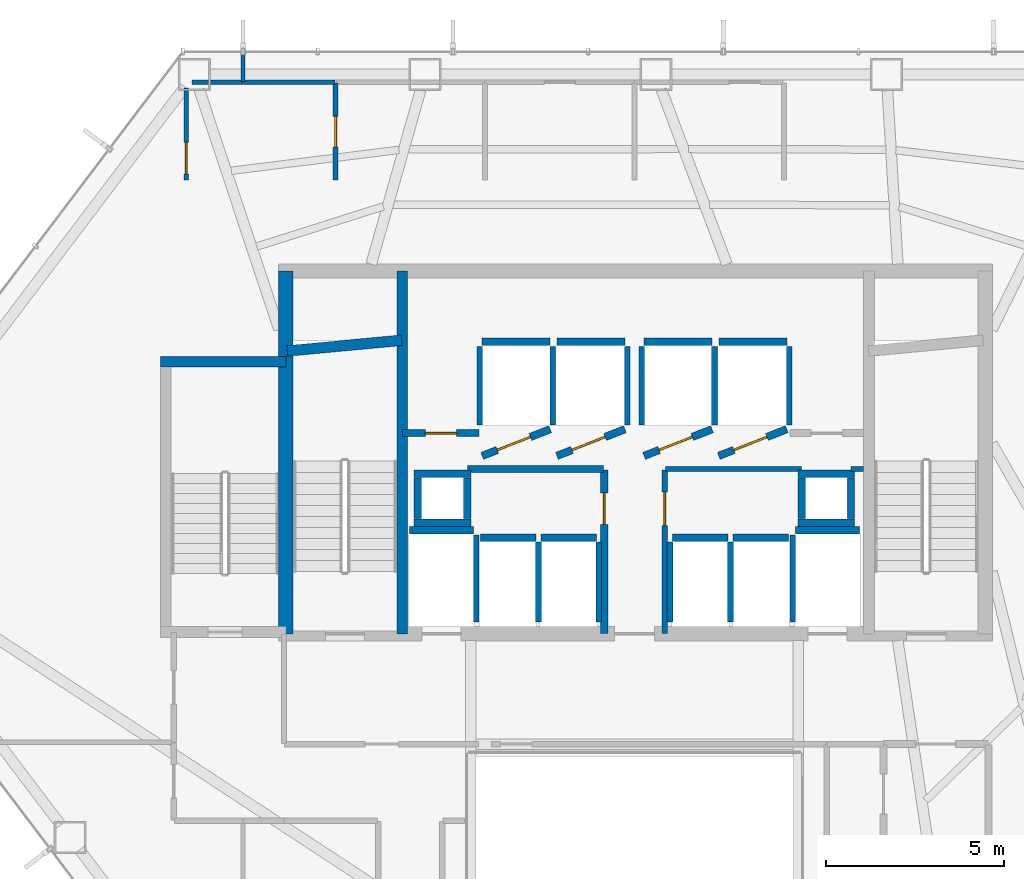
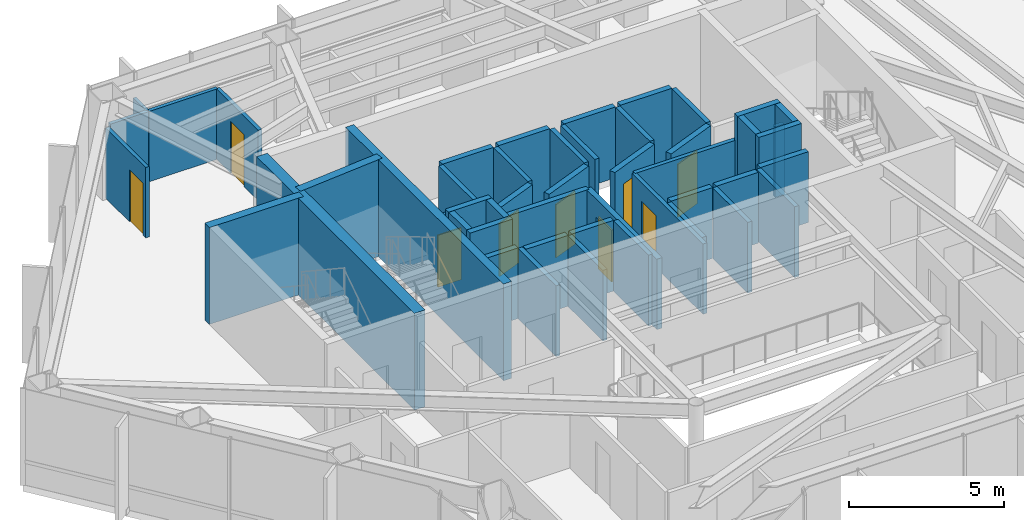
# One storey, part 23 of 25: 49 walls, 9 doors, 9 openings.
"""IFC4 building model written with IfcOpenShell, lengths in metres."""

from ifc_helpers import new_model, si_unit, direction, frame, frame_2d, origin, place, context, subcontext, project, spatial, rectangle, extrude, material, layer, layer_set, type_object, element, fill, save


model = new_model("IFC4")

# Units and contexts
model_context = context("Model", 3, precision=1e-05, world=origin(), true_north=direction((0.0, 1.0)))
body_context = subcontext(model_context, "Body", "Model", "MODEL_VIEW")
ifc_project = project(units=[si_unit("LENGTHUNIT", "METRE"), si_unit("AREAUNIT", "SQUARE_METRE"), si_unit("VOLUMEUNIT", "CUBIC_METRE"), si_unit("PLANEANGLEUNIT", "RADIAN"), si_unit("MASSUNIT", "GRAM", prefix="KILO")], contexts=[model_context])

# Site, building, storey
site_placement = place(None, origin())
site = spatial("IfcSite", under=ifc_project, at=site_placement, CompositionType="ELEMENT")
building_placement = place(site_placement, origin())
building = spatial("IfcBuilding", under=site, at=building_placement, Name="Zarrinselat Tower", CompositionType="ELEMENT")
storey_placement = place(building_placement, frame((0.0, 0.0, 88.739990234375)))
storey = spatial("IfcBuildingStorey", under=building, at=storey_placement, Name="L21", CompositionType="ELEMENT", Elevation=88.739990234375)

# Walls
ifc_material_1 = material(Name="Fire-Rated Gypsum Board Partition", Category="gypsum")
ifc_layer_1 = layer(ifc_material_1, 0.14990234375)
ifc_layer_set_1 = layer_set([ifc_layer_1], Name="Fire-Rated Gypsum Board Partition")
wall_type_1 = type_object("IfcWallType", Name="WAL-PART-EI60", PredefinedType="PARTITIONING", material=ifc_layer_set_1)
wall_1_placement = place(storey_placement, frame((39.27001953125, 37.8798828125, 0.0), z_axis=(0.0, 0.0, 1.0), x_axis=(1.0, 0.0, 0.0)))
element("IfcWall", 1, at=wall_1_placement, inside=storey, type_object=wall_type_1, Name="L21 Partition Wall 5", PredefinedType="PARTITIONING", context=body_context, shape_type="SweptSolid", body=[
    extrude(rectangle(XDim=3.824951171875, YDim=0.14990234375, at=frame_2d((1.91259765625, 0.0))), origin(), (0.0, 0.0, 1.0), 2.777099609375),
])
wall_2_placement = place(storey_placement, frame((44.485107421875, 37.8798828125, 0.0), z_axis=(0.0, 0.0, 1.0), x_axis=(1.0, 0.0, 0.0)))
element("IfcWall", 2, at=wall_2_placement, inside=storey, type_object=wall_type_1, Name="L21 Partition Wall 6", PredefinedType="PARTITIONING", context=body_context, shape_type="SweptSolid", body=[
    extrude(rectangle(XDim=0.349853515625, YDim=0.14990234375, at=frame_2d((0.1748046875, 0.0))), origin(), (0.0, 0.0, 1.0), 2.777099609375),
])

# Wall, opening, door
wall_3_placement = place(storey_placement, frame((39.25, 33.264892578125, 0.0), z_axis=(0.0, 0.0, 1.0), x_axis=(0.0, 1.0, 0.0)))
wall_3 = element("IfcWall", 3, at=wall_3_placement, inside=storey, type_object=wall_type_1, Name="L21 Partition Wall 7", PredefinedType="PARTITIONING", context=body_context, shape_type="SweptSolid", body=[
    extrude(rectangle(XDim=4.59521484375, YDim=0.14990234375, at=frame_2d((2.297607421875, 0.0))), origin(), (0.0, 0.0, 1.0), 2.777099609375),
])
opening_1_placement = place(wall_3_placement, frame((3.027587890625, 0.0, 0.0)))
opening_1 = element("IfcOpeningElement", 4, at=opening_1_placement, cuts=wall_3, Name="Opening ID-04", PredefinedType="OPENING", context=body_context, shape_type="SweptSolid", body=[
    extrude(rectangle(XDim=0.93994140625, YDim=2.050048828125, at=frame_2d((0.469970703125, 1.02490234375))), frame((0.0, 0.0849609375, 0.0), z_axis=(0.0, -1.0, 0.0), x_axis=(1.0, 0.0, 0.0)), (0.0, 0.0, 1.0), 0.169921875),
])
ifc_material_2 = material(Name="Fire-Rated Gypsum Board Partition")
door_type_1 = type_object("IfcDoorType", Name="DR-INT-FD30-ENT", OperationType="NOTDEFINED", PredefinedType="DOOR", material=ifc_material_2)
door_1_placement = place(opening_1_placement, origin())
door_1 = element("IfcDoor", 5, at=door_1_placement, inside=storey, type_object=door_type_1, Name="L21 Interior Door P7", OperationType="SINGLE_SWING_LEFT", OverallHeight=2.050048828125, OverallWidth=0.93994140625, PredefinedType="DOOR", context=body_context, shape_type="SweptSolid", body=[
    extrude(rectangle(XDim=0.93994140625, YDim=2.050048828125, at=frame_2d((0.469970703125, 1.02490234375))), frame((0.0, 0.02490234375, 0.0), z_axis=(0.0, -1.0, 0.0), x_axis=(1.0, 0.0, 0.0)), (0.0, 0.0, 1.0), 0.050048828125),
])
fill(opening_1, door_1)

ifc_material_3 = material(Name="Concrete C40/50", Category="concrete")
ifc_layer_2 = layer(ifc_material_3, 0.199951171875)
ifc_layer_set_2 = layer_set([ifc_layer_2], Name="Concrete C40/50")
wall_type_2 = type_object("IfcWallType", Name="WAL-PART-PLANT", PredefinedType="PARTITIONING", material=ifc_layer_set_2)
wall_4_placement = place(storey_placement, frame((37.550048828125, 33.264892578125, 0.0), z_axis=(0.0, 0.0, 1.0), x_axis=(0.0, 1.0, 0.0)))
wall_4 = element("IfcWall", 6, at=wall_4_placement, inside=storey, type_object=wall_type_2, Name="L21 Partition Wall 1", PredefinedType="PARTITIONING", context=body_context, shape_type="SweptSolid", body=[
    extrude(rectangle(XDim=4.59521484375, YDim=0.199951171875, at=frame_2d((2.297607421875, 0.0))), origin(), (0.0, 0.0, 1.0), 2.777099609375),
])
opening_2_placement = place(wall_4_placement, frame((3.0576171875, 0.0, 0.0)))
opening_2 = element("IfcOpeningElement", 7, at=opening_2_placement, cuts=wall_4, Name="Opening ID-03", PredefinedType="OPENING", context=body_context, shape_type="SweptSolid", body=[
    extrude(rectangle(XDim=0.8798828125, YDim=2.050048828125, at=frame_2d((0.43994140625, 1.02490234375))), frame((0.0, 0.10986328125, 0.0), z_axis=(0.0, -1.0, 0.0), x_axis=(1.0, 0.0, 0.0)), (0.0, 0.0, 1.0), 0.219970703125),
])
ifc_material_4 = material(Name="Steel S355J2", Category="steel")
door_type_2 = type_object("IfcDoorType", Name="DR-INT-FD60-S", OperationType="NOTDEFINED", PredefinedType="DOOR", material=ifc_material_4)
door_2_placement = place(opening_2_placement, origin())
door_2 = element("IfcDoor", 8, at=door_2_placement, inside=storey, type_object=door_type_2, Name="L21 Interior Door P1", OperationType="SINGLE_SWING_RIGHT", OverallHeight=2.050048828125, OverallWidth=0.8798828125, PredefinedType="DOOR", context=body_context, shape_type="SweptSolid", body=[
    extrude(rectangle(XDim=0.8798828125, YDim=2.050048828125, at=frame_2d((0.43994140625, 1.02490234375))), frame((0.0, 0.02490234375, 0.0), z_axis=(0.0, -1.0, 0.0), x_axis=(1.0, 0.0, 0.0)), (0.0, 0.0, 1.0), 0.050048828125),
])
fill(opening_2, door_2)

# Wall
wall_5_placement = place(storey_placement, frame((33.705078125, 37.8798828125, 0.0), z_axis=(0.0, 0.0, 1.0), x_axis=(1.0, 0.0, 0.0)))
element("IfcWall", 9, at=wall_5_placement, inside=storey, type_object=wall_type_2, Name="L21 Partition Wall 2", PredefinedType="PARTITIONING", context=body_context, shape_type="SweptSolid", body=[
    extrude(rectangle(XDim=3.824951171875, YDim=0.199951171875, at=frame_2d((1.91259765625, 0.0))), origin(), (0.0, 0.0, 1.0), 2.777099609375),
])

# Wall, opening, door
wall_6_placement = place(storey_placement, frame((31.885009765625, 38.889892578125, 0.0), z_axis=(0.0, 0.0, 1.0), x_axis=(1.0, 0.0, 0.0)))
wall_6 = element("IfcWall", 10, at=wall_6_placement, inside=storey, type_object=wall_type_2, Name="L21 Partition Wall 3", PredefinedType="PARTITIONING", context=body_context, shape_type="SweptSolid", body=[
    extrude(rectangle(XDim=2.14990234375, YDim=0.199951171875, at=frame_2d((1.074951171875, 0.0))), origin(), (0.0, 0.0, 1.0), 2.777099609375),
])
opening_3_placement = place(wall_6_placement, frame((0.635009765625, 0.0, 0.0)))
opening_3 = element("IfcOpeningElement", 11, at=opening_3_placement, cuts=wall_6, Name="Opening ID-03", PredefinedType="OPENING", context=body_context, shape_type="SweptSolid", body=[
    extrude(rectangle(XDim=0.8798828125, YDim=2.050048828125, at=frame_2d((0.43994140625, 1.02490234375))), frame((0.0, 0.10986328125, 0.0), z_axis=(0.0, -1.0, 0.0), x_axis=(1.0, 0.0, 0.0)), (0.0, 0.0, 1.0), 0.219970703125),
])
door_3_placement = place(opening_3_placement, origin())
door_3 = element("IfcDoor", 12, at=door_3_placement, inside=storey, type_object=door_type_2, Name="L21 Interior Door P3", OperationType="SINGLE_SWING_LEFT", OverallHeight=2.050048828125, OverallWidth=0.8798828125, PredefinedType="DOOR", context=body_context, shape_type="SweptSolid", body=[
    extrude(rectangle(XDim=0.8798828125, YDim=2.050048828125, at=frame_2d((0.43994140625, 1.02490234375))), frame((0.0, 0.02490234375, 0.0), z_axis=(0.0, -1.0, 0.0), x_axis=(1.0, 0.0, 0.0)), (0.0, 0.0, 1.0), 0.050048828125),
])
fill(opening_3, door_3)

# Wall
ifc_material_5 = material(Name="Fire-Rated Gypsum Board Partition", Category="gypsum")
ifc_layer_3 = layer(ifc_material_5, 0.1201171875)
ifc_layer_set_3 = layer_set([ifc_layer_3], Name="Fire-Rated Gypsum Board Partition")
wall_type_3 = type_object("IfcWallType", Name="WAL-PART-STD", PredefinedType="PARTITIONING", material=ifc_layer_set_3)
wall_7_placement = place(storey_placement, frame((27.39990234375, 48.77001953125, 0.0), z_axis=(0.0, 0.0, 1.0), x_axis=(0.0, 1.0, 0.0)))
element("IfcWall", 13, at=wall_7_placement, inside=storey, type_object=wall_type_3, Name="L21 Partition Wall 47", PredefinedType="PARTITIONING", context=body_context, shape_type="SweptSolid", body=[
    extrude(rectangle(XDim=0.831787109375, YDim=0.1201171875, at=frame_2d((0.416015625, 0.0))), origin(), (0.0, 0.0, 1.0), 2.777099609375),
])

# Wall, opening, door
ifc_material_6 = material(Name="Fire-Rated Gypsum Board Partition", Category="gypsum")
ifc_layer_4 = layer(ifc_material_6, 0.135009765625)
ifc_layer_set_4 = layer_set([ifc_layer_4], Name="Fire-Rated Gypsum Board Partition")
wall_type_4 = type_object("IfcWallType", Name="WAL-PART-WET", PredefinedType="PARTITIONING", material=ifc_layer_set_4)
wall_8_placement = place(storey_placement, frame((30.0, 46.0, 0.0), z_axis=(0.0, 0.0, 1.0), x_axis=(0.0, 1.0, 0.0)))
wall_8 = element("IfcWall", 14, at=wall_8_placement, inside=storey, type_object=wall_type_4, Name="L21 Partition Wall 34", PredefinedType="PARTITIONING", context=body_context, shape_type="SweptSolid", body=[
    extrude(rectangle(XDim=2.72998046875, YDim=0.135009765625, at=frame_2d((1.364990234375, 0.0))), origin(), (0.0, 0.0, 1.0), 2.777099609375),
])
opening_4_placement = place(wall_8_placement, frame((0.93505859375, 0.0, 0.0)))
opening_4 = element("IfcOpeningElement", 15, at=opening_4_placement, cuts=wall_8, Name="Opening ID-06", PredefinedType="OPENING", context=body_context, shape_type="SweptSolid", body=[
    extrude(rectangle(XDim=0.860107421875, YDim=2.050048828125, at=frame_2d((0.43017578125, 1.02490234375))), frame((0.0, 0.077392578125, 0.0), z_axis=(0.0, -1.0, 0.0), x_axis=(1.0, 0.0, 0.0)), (0.0, 0.0, 1.0), 0.155029296875),
])
ifc_material_7 = material(Name="Extruded Aluminium Alloy EN AW-6063 T6", Category="aluminium")
door_type_3 = type_object("IfcDoorType", Name="DR-INT-WET-900", OperationType="NOTDEFINED", PredefinedType="DOOR", material=ifc_material_7)
door_4_placement = place(opening_4_placement, origin())
door_4 = element("IfcDoor", 16, at=door_4_placement, inside=storey, type_object=door_type_3, Name="L21 Interior Door P34", OperationType="SINGLE_SWING_RIGHT", OverallHeight=2.050048828125, OverallWidth=0.860107421875, PredefinedType="DOOR", context=body_context, shape_type="SweptSolid", body=[
    extrude(rectangle(XDim=0.860107421875, YDim=2.050048828125, at=frame_2d((0.43017578125, 1.02490234375))), frame((0.0, 0.02490234375, 0.0), z_axis=(0.0, -1.0, 0.0), x_axis=(1.0, 0.0, 0.0)), (0.0, 0.0, 1.0), 0.050048828125),
])
fill(opening_4, door_4)

# Wall
wall_9_placement = place(storey_placement, frame((27.405029296875, 48.75, 0.0), z_axis=(0.0, 0.0, 1.0), x_axis=(1.0, 0.0, 0.0)))
element("IfcWall", 17, at=wall_9_placement, inside=storey, type_object=wall_type_4, Name="L21 Partition Wall 35", PredefinedType="PARTITIONING", context=body_context, shape_type="SweptSolid", body=[
    extrude(rectangle(XDim=2.574951171875, YDim=0.135009765625, at=frame_2d((1.28759765625, 0.0))), origin(), (0.0, 0.0, 1.0), 2.777099609375),
])

# Wall, opening, door
wall_10_placement = place(storey_placement, frame((25.800048828125, 46.0, 0.0), z_axis=(0.0, 0.0, 1.0), x_axis=(0.0, 1.0, 0.0)))
wall_10 = element("IfcWall", 18, at=wall_10_placement, inside=storey, type_object=wall_type_4, Name="L21 Partition Wall 36", PredefinedType="PARTITIONING", context=body_context, shape_type="SweptSolid", body=[
    extrude(rectangle(XDim=2.584228515625, YDim=0.135009765625, at=frame_2d((1.2919921875, 0.0))), origin(), (0.0, 0.0, 1.0), 2.777099609375),
])
opening_5_placement = place(wall_10_placement, frame((0.179931640625, 0.0, 0.0)))
opening_5 = element("IfcOpeningElement", 19, at=opening_5_placement, cuts=wall_10, Name="Opening ID-03", PredefinedType="OPENING", context=body_context, shape_type="SweptSolid", body=[
    extrude(rectangle(XDim=0.8798828125, YDim=2.050048828125, at=frame_2d((0.43994140625, 1.02490234375))), frame((0.0, 0.077392578125, 0.0), z_axis=(0.0, -1.0, 0.0), x_axis=(1.0, 0.0, 0.0)), (0.0, 0.0, 1.0), 0.155029296875),
])
door_5_placement = place(opening_5_placement, origin())
door_5 = element("IfcDoor", 20, at=door_5_placement, inside=storey, type_object=door_type_2, Name="L21 Interior Door P36", OperationType="SINGLE_SWING_LEFT", OverallHeight=2.050048828125, OverallWidth=0.8798828125, PredefinedType="DOOR", context=body_context, shape_type="SweptSolid", body=[
    extrude(rectangle(XDim=0.8798828125, YDim=2.050048828125, at=frame_2d((0.43994140625, 1.02490234375))), frame((0.0, 0.02490234375, 0.0), z_axis=(0.0, -1.0, 0.0), x_axis=(1.0, 0.0, 0.0)), (0.0, 0.0, 1.0), 0.050048828125),
])
fill(opening_5, door_5)

# Walls
wall_11_placement = place(storey_placement, frame((25.9658203125, 48.75, 0.0), z_axis=(0.0, 0.0, 1.0), x_axis=(1.0, 0.0, 0.0)))
element("IfcWall", 21, at=wall_11_placement, inside=storey, type_object=wall_type_4, Name="L21 Partition Wall 37", PredefinedType="PARTITIONING", context=body_context, shape_type="SweptSolid", body=[
    extrude(rectangle(XDim=1.42919921875, YDim=0.135009765625, at=frame_2d((0.714599609375, 0.0))), origin(), (0.0, 0.0, 1.0), 2.777099609375),
])
ifc_material_8 = material(Name="Concrete C40/50", Category="concrete")
ifc_layer_5 = layer(ifc_material_8, 0.2099609375)
ifc_layer_set_5 = layer_set([ifc_layer_5], Name="Concrete C40/50")
wall_type_5 = type_object("IfcWallType", Name="WAL-SHAFT-210", PredefinedType="SOLIDWALL", material=ifc_layer_set_5)
wall_12_placement = place(storey_placement, frame((32.080078125, 36.155029296875, 0.0), z_axis=(0.0, 0.0, 1.0), x_axis=(1.0, 0.0, 0.0)))
element("IfcWall", 22, at=wall_12_placement, inside=storey, type_object=wall_type_5, Name="L21 Lift FFL1 North Shaft Wall", PredefinedType="SOLIDWALL", context=body_context, shape_type="SweptSolid", body=[
    extrude(rectangle(XDim=1.7998046875, YDim=0.2099609375, at=frame_2d((0.89990234375, 0.0))), origin(), (0.0, 0.0, 1.0), 2.7919921875),
])
wall_13_placement = place(storey_placement, frame((33.949951171875, 33.580078125, 0.0), z_axis=(0.0, 0.0, 1.0), x_axis=(0.0, 1.0, 0.0)))
element("IfcWall", 23, at=wall_13_placement, inside=storey, type_object=wall_type_5, Name="L21 Lift FFL1 E Shaft Wall", PredefinedType="SOLIDWALL", context=body_context, shape_type="SweptSolid", body=[
    extrude(rectangle(XDim=2.449951171875, YDim=0.159912109375, at=frame_2d((1.22509765625, 0.0))), origin(), (0.0, 0.0, 1.0), 2.7919921875),
])
wall_14_placement = place(storey_placement, frame((42.919921875, 36.155029296875, 0.0), z_axis=(0.0, 0.0, 1.0), x_axis=(1.0, 0.0, 0.0)))
element("IfcWall", 24, at=wall_14_placement, inside=storey, type_object=wall_type_5, Name="L21 Lift FFL2 North Shaft Wall", PredefinedType="SOLIDWALL", context=body_context, shape_type="SweptSolid", body=[
    extrude(rectangle(XDim=1.800048828125, YDim=0.2099609375, at=frame_2d((0.89990234375, 0.0))), origin(), (0.0, 0.0, 1.0), 2.7919921875),
])
wall_15_placement = place(storey_placement, frame((42.85009765625, 33.580078125, 0.0), z_axis=(0.0, 0.0, 1.0), x_axis=(0.0, 1.0, 0.0)))
element("IfcWall", 25, at=wall_15_placement, inside=storey, type_object=wall_type_5, Name="L21 Lift FFL2 W Shaft Wall", PredefinedType="SOLIDWALL", context=body_context, shape_type="SweptSolid", body=[
    extrude(rectangle(XDim=2.449951171875, YDim=0.159912109375, at=frame_2d((1.22509765625, 0.0))), origin(), (0.0, 0.0, 1.0), 2.7919921875),
])

# Wall, opening, door
wall_16_placement = place(storey_placement, frame((34.1201171875, 38.25, 0.0), z_axis=(0.0, 0.0, 1.0), x_axis=(0.930804993012, 0.36551616241, 0.0)))
wall_16 = element("IfcWall", 26, at=wall_16_placement, inside=storey, type_object=wall_type_5, Name="L21 Lift PL1 Front Shaft Wall", PredefinedType="SOLIDWALL", context=body_context, shape_type="SweptSolid", body=[
    extrude(rectangle(XDim=2.052001953125, YDim=0.2099609375, at=frame_2d((1.02587890625, 0.0))), origin(), (0.0, 0.0, 1.0), 2.7919921875),
])
opening_6_placement = place(wall_16_placement, frame((0.455078125, 0.0, 0.0)))
opening_6 = element("IfcOpeningElement", 27, at=opening_6_placement, cuts=wall_16, Name="Opening LD-PL1", PredefinedType="OPENING", context=body_context, shape_type="SweptSolid", body=[
    extrude(rectangle(XDim=1.0, YDim=2.10009765625, at=frame_2d((0.5, 1.050048828125))), frame((0.0, 0.114990234375, 0.0), z_axis=(0.0, -1.0, 0.0), x_axis=(1.0, 0.0, 0.0)), (0.0, 0.0, 1.0), 0.22998046875),
])
ifc_material_9 = material(Name="Steel S355J2", Category="steel")
door_type_4 = type_object("IfcDoorType", Name="DR-LIFT-PS-1000", OperationType="NOTDEFINED", PredefinedType="DOOR", material=ifc_material_9)
door_6_placement = place(opening_6_placement, origin())
door_6 = element("IfcDoor", 28, at=door_6_placement, inside=storey, type_object=door_type_4, Name="L21 Lift PL1 Sliding Landing Door", OperationType="SLIDING_TO_LEFT", OverallHeight=2.10009765625, OverallWidth=1.0, PredefinedType="DOOR", context=body_context, shape_type="SweptSolid", body=[
    extrude(rectangle(XDim=1.0, YDim=2.10009765625, at=frame_2d((0.5, 1.050048828125))), frame((0.0, 0.02490234375, 0.0), z_axis=(0.0, -1.0, 0.0), x_axis=(1.0, 0.0, 0.0)), (0.0, 0.0, 1.0), 0.050048828125),
])
fill(opening_6, door_6)

# Walls
wall_17_placement = place(storey_placement, frame((34.1201171875, 41.455078125, 0.0), z_axis=(0.0, 0.0, 1.0), x_axis=(1.0, 0.0, 0.0)))
element("IfcWall", 29, at=wall_17_placement, inside=storey, type_object=wall_type_5, Name="L21 Lift PL1 Rear Shaft Wall", PredefinedType="SOLIDWALL", context=body_context, shape_type="SweptSolid", body=[
    extrude(rectangle(XDim=1.909912109375, YDim=0.2099609375, at=frame_2d((0.955078125, 0.0))), origin(), (0.0, 0.0, 1.0), 2.7919921875),
])
for number, where, z_axis, x_axis, name in (
    (30, (34.050048828125, 39.1201171875, 0.0), (0.0, 0.0, 1.0), (0.0, 1.0, 0.0), "L21 Lift PL1 W Shaft Wall"),
    (31, (36.10009765625, 39.1201171875, 0.0), (0.0, 0.0, 1.0), (0.0, 1.0, 0.0), "L21 Lift PL1 E Shaft Wall"),
):
    element("IfcWall", number, at=place(storey_placement, frame(where, z_axis=z_axis, x_axis=x_axis)), inside=storey, type_object=wall_type_5, Name=name, PredefinedType="SOLIDWALL", context=body_context, shape_type="SweptSolid", body=[
        extrude(rectangle(XDim=2.2099609375, YDim=0.159912109375, at=frame_2d((1.10498046875, 0.0))), origin(), (0.0, 0.0, 1.0), 2.7919921875),
    ])

# Wall, opening, door
wall_18_placement = place(storey_placement, frame((36.219970703125, 38.25, 0.0), z_axis=(0.0, 0.0, 1.0), x_axis=(0.930804993012, 0.36551616241, 0.0)))
wall_18 = element("IfcWall", 32, at=wall_18_placement, inside=storey, type_object=wall_type_5, Name="L21 Lift PL2 Front Shaft Wall", PredefinedType="SOLIDWALL", context=body_context, shape_type="SweptSolid", body=[
    extrude(rectangle(XDim=2.052001953125, YDim=0.2099609375, at=frame_2d((1.02587890625, 0.0))), origin(), (0.0, 0.0, 1.0), 2.7919921875),
])
opening_7_placement = place(wall_18_placement, frame((0.455078125, 0.0, 0.0)))
opening_7 = element("IfcOpeningElement", 33, at=opening_7_placement, cuts=wall_18, Name="Opening LD-PL2", PredefinedType="OPENING", context=body_context, shape_type="SweptSolid", body=[
    extrude(rectangle(XDim=1.0, YDim=2.10009765625, at=frame_2d((0.5, 1.050048828125))), frame((0.0, 0.114990234375, 0.0), z_axis=(0.0, -1.0, 0.0), x_axis=(1.0, 0.0, 0.0)), (0.0, 0.0, 1.0), 0.22998046875),
])
door_7_placement = place(opening_7_placement, origin())
door_7 = element("IfcDoor", 34, at=door_7_placement, inside=storey, type_object=door_type_4, Name="L21 Lift PL2 Sliding Landing Door", OperationType="SLIDING_TO_RIGHT", OverallHeight=2.10009765625, OverallWidth=1.0, PredefinedType="DOOR", context=body_context, shape_type="SweptSolid", body=[
    extrude(rectangle(XDim=1.0, YDim=2.10009765625, at=frame_2d((0.5, 1.050048828125))), frame((0.0, 0.02490234375, 0.0), z_axis=(0.0, -1.0, 0.0), x_axis=(1.0, 0.0, 0.0)), (0.0, 0.0, 1.0), 0.050048828125),
])
fill(opening_7, door_7)

# Walls
wall_19_placement = place(storey_placement, frame((36.219970703125, 41.455078125, 0.0), z_axis=(0.0, 0.0, 1.0), x_axis=(1.0, 0.0, 0.0)))
element("IfcWall", 35, at=wall_19_placement, inside=storey, type_object=wall_type_5, Name="L21 Lift PL2 Rear Shaft Wall", PredefinedType="SOLIDWALL", context=body_context, shape_type="SweptSolid", body=[
    extrude(rectangle(XDim=1.909912109375, YDim=0.2099609375, at=frame_2d((0.955078125, 0.0))), origin(), (0.0, 0.0, 1.0), 2.7919921875),
])
wall_20_placement = place(storey_placement, frame((38.199951171875, 39.1201171875, 0.0), z_axis=(0.0, 0.0, 1.0), x_axis=(0.0, 1.0, 0.0)))
element("IfcWall", 36, at=wall_20_placement, inside=storey, type_object=wall_type_5, Name="L21 Lift PL2 E Shaft Wall", PredefinedType="SOLIDWALL", context=body_context, shape_type="SweptSolid", body=[
    extrude(rectangle(XDim=2.2099609375, YDim=0.159912109375, at=frame_2d((1.10498046875, 0.0))), origin(), (0.0, 0.0, 1.0), 2.7919921875),
])

# Wall, opening, door
wall_21_placement = place(storey_placement, frame((38.669921875, 38.25, 0.0), z_axis=(0.0, 0.0, 1.0), x_axis=(0.930820886763, 0.3654756856, 0.0)))
wall_21 = element("IfcWall", 37, at=wall_21_placement, inside=storey, type_object=wall_type_5, Name="L21 Lift PL3 Front Shaft Wall", PredefinedType="SOLIDWALL", context=body_context, shape_type="SweptSolid", body=[
    extrude(rectangle(XDim=2.052001953125, YDim=0.2099609375, at=frame_2d((1.02587890625, 0.0))), origin(), (0.0, 0.0, 1.0), 2.7919921875),
])
opening_8_placement = place(wall_21_placement, frame((0.455078125, 0.0, 0.0)))
opening_8 = element("IfcOpeningElement", 38, at=opening_8_placement, cuts=wall_21, Name="Opening LD-PL3", PredefinedType="OPENING", context=body_context, shape_type="SweptSolid", body=[
    extrude(rectangle(XDim=1.0, YDim=2.10009765625, at=frame_2d((0.5, 1.050048828125))), frame((0.0, 0.114990234375, 0.0), z_axis=(0.0, -1.0, 0.0), x_axis=(1.0, 0.0, 0.0)), (0.0, 0.0, 1.0), 0.22998046875),
])
door_8_placement = place(opening_8_placement, origin())
door_8 = element("IfcDoor", 39, at=door_8_placement, inside=storey, type_object=door_type_4, Name="L21 Lift PL3 Sliding Landing Door", OperationType="SLIDING_TO_LEFT", OverallHeight=2.10009765625, OverallWidth=1.0, PredefinedType="DOOR", context=body_context, shape_type="SweptSolid", body=[
    extrude(rectangle(XDim=1.0, YDim=2.10009765625, at=frame_2d((0.5, 1.050048828125))), frame((0.0, 0.02490234375, 0.0), z_axis=(0.0, -1.0, 0.0), x_axis=(1.0, 0.0, 0.0)), (0.0, 0.0, 1.0), 0.050048828125),
])
fill(opening_8, door_8)

# Walls
wall_22_placement = place(storey_placement, frame((38.669921875, 41.455078125, 0.0), z_axis=(0.0, 0.0, 1.0), x_axis=(1.0, 0.0, 0.0)))
element("IfcWall", 40, at=wall_22_placement, inside=storey, type_object=wall_type_5, Name="L21 Lift PL3 Rear Shaft Wall", PredefinedType="SOLIDWALL", context=body_context, shape_type="SweptSolid", body=[
    extrude(rectangle(XDim=1.91015625, YDim=0.2099609375, at=frame_2d((0.955078125, 0.0))), origin(), (0.0, 0.0, 1.0), 2.7919921875),
])
for number, where, z_axis, x_axis, name in (
    (41, (38.60009765625, 39.1201171875, 0.0), (0.0, 0.0, 1.0), (0.0, 1.0, 0.0), "L21 Lift PL3 W Shaft Wall"),
    (42, (40.64990234375, 39.1201171875, 0.0), (0.0, 0.0, 1.0), (0.0, 1.0, 0.0), "L21 Lift PL3 E Shaft Wall"),
):
    element("IfcWall", number, at=place(storey_placement, frame(where, z_axis=z_axis, x_axis=x_axis)), inside=storey, type_object=wall_type_5, Name=name, PredefinedType="SOLIDWALL", context=body_context, shape_type="SweptSolid", body=[
        extrude(rectangle(XDim=2.2099609375, YDim=0.159912109375, at=frame_2d((1.10498046875, 0.0))), origin(), (0.0, 0.0, 1.0), 2.7919921875),
    ])

# Wall, opening, door
wall_23_placement = place(storey_placement, frame((40.77001953125, 38.25, 0.0), z_axis=(0.0, 0.0, 1.0), x_axis=(0.930804993012, 0.36551616241, 0.0)))
wall_23 = element("IfcWall", 43, at=wall_23_placement, inside=storey, type_object=wall_type_5, Name="L21 Lift PL4 Front Shaft Wall", PredefinedType="SOLIDWALL", context=body_context, shape_type="SweptSolid", body=[
    extrude(rectangle(XDim=2.052001953125, YDim=0.2099609375, at=frame_2d((1.02587890625, 0.0))), origin(), (0.0, 0.0, 1.0), 2.7919921875),
])
opening_9_placement = place(wall_23_placement, frame((0.455078125, 0.0, 0.0)))
opening_9 = element("IfcOpeningElement", 44, at=opening_9_placement, cuts=wall_23, Name="Opening LD-PL4", PredefinedType="OPENING", context=body_context, shape_type="SweptSolid", body=[
    extrude(rectangle(XDim=1.0, YDim=2.10009765625, at=frame_2d((0.5, 1.050048828125))), frame((0.0, 0.114990234375, 0.0), z_axis=(0.0, -1.0, 0.0), x_axis=(1.0, 0.0, 0.0)), (0.0, 0.0, 1.0), 0.22998046875),
])
door_9_placement = place(opening_9_placement, origin())
door_9 = element("IfcDoor", 45, at=door_9_placement, inside=storey, type_object=door_type_4, Name="L21 Lift PL4 Sliding Landing Door", OperationType="SLIDING_TO_RIGHT", OverallHeight=2.10009765625, OverallWidth=1.0, PredefinedType="DOOR", context=body_context, shape_type="SweptSolid", body=[
    extrude(rectangle(XDim=1.0, YDim=2.10009765625, at=frame_2d((0.5, 1.050048828125))), frame((0.0, 0.02490234375, 0.0), z_axis=(0.0, -1.0, 0.0), x_axis=(1.0, 0.0, 0.0)), (0.0, 0.0, 1.0), 0.050048828125),
])
fill(opening_9, door_9)

# Walls
wall_24_placement = place(storey_placement, frame((40.77001953125, 41.455078125, 0.0), z_axis=(0.0, 0.0, 1.0), x_axis=(1.0, 0.0, 0.0)))
element("IfcWall", 46, at=wall_24_placement, inside=storey, type_object=wall_type_5, Name="L21 Lift PL4 Rear Shaft Wall", PredefinedType="SOLIDWALL", context=body_context, shape_type="SweptSolid", body=[
    extrude(rectangle(XDim=1.909912109375, YDim=0.2099609375, at=frame_2d((0.955078125, 0.0))), origin(), (0.0, 0.0, 1.0), 2.7919921875),
])
wall_25_placement = place(storey_placement, frame((42.75, 39.1201171875, 0.0), z_axis=(0.0, 0.0, 1.0), x_axis=(0.0, 1.0, 0.0)))
element("IfcWall", 47, at=wall_25_placement, inside=storey, type_object=wall_type_5, Name="L21 Lift PL4 E Shaft Wall", PredefinedType="SOLIDWALL", context=body_context, shape_type="SweptSolid", body=[
    extrude(rectangle(XDim=2.2099609375, YDim=0.159912109375, at=frame_2d((1.10498046875, 0.0))), origin(), (0.0, 0.0, 1.0), 2.7919921875),
])
wall_26_placement = place(storey_placement, frame((34.070068359375, 35.955078125, 0.0), z_axis=(0.0, 0.0, 1.0), x_axis=(1.0, 0.0, 0.0)))
element("IfcWall", 48, at=wall_26_placement, inside=storey, type_object=wall_type_5, Name="L21 Lift PL5 North Shaft Wall", PredefinedType="SOLIDWALL", context=body_context, shape_type="SweptSolid", body=[
    extrude(rectangle(XDim=1.559814453125, YDim=0.2099609375, at=frame_2d((0.77978515625, 0.0))), origin(), (0.0, 0.0, 1.0), 2.7919921875),
])
wall_27_placement = place(storey_placement, frame((35.699951171875, 33.580078125, 0.0), z_axis=(0.0, 0.0, 1.0), x_axis=(0.0, 1.0, 0.0)))
element("IfcWall", 49, at=wall_27_placement, inside=storey, type_object=wall_type_5, Name="L21 Lift PL5 E Shaft Wall", PredefinedType="SOLIDWALL", context=body_context, shape_type="SweptSolid", body=[
    extrude(rectangle(XDim=2.25, YDim=0.159912109375, at=frame_2d((1.125, 0.0))), origin(), (0.0, 0.0, 1.0), 2.7919921875),
])
wall_28_placement = place(storey_placement, frame((35.77001953125, 35.955078125, 0.0), z_axis=(0.0, 0.0, 1.0), x_axis=(1.0, 0.0, 0.0)))
element("IfcWall", 50, at=wall_28_placement, inside=storey, type_object=wall_type_5, Name="L21 Lift PL6 North Shaft Wall", PredefinedType="SOLIDWALL", context=body_context, shape_type="SweptSolid", body=[
    extrude(rectangle(XDim=1.56005859375, YDim=0.2099609375, at=frame_2d((0.780029296875, 0.0))), origin(), (0.0, 0.0, 1.0), 2.7919921875),
])
wall_29_placement = place(storey_placement, frame((37.39990234375, 33.580078125, 0.0), z_axis=(0.0, 0.0, 1.0), x_axis=(0.0, 1.0, 0.0)))
element("IfcWall", 51, at=wall_29_placement, inside=storey, type_object=wall_type_5, Name="L21 Lift PL6 E Shaft Wall", PredefinedType="SOLIDWALL", context=body_context, shape_type="SweptSolid", body=[
    extrude(rectangle(XDim=2.25, YDim=0.159912109375, at=frame_2d((1.125, 0.0))), origin(), (0.0, 0.0, 1.0), 2.7919921875),
])
wall_30_placement = place(storey_placement, frame((39.469970703125, 35.955078125, 0.0), z_axis=(0.0, 0.0, 1.0), x_axis=(1.0, 0.0, 0.0)))
element("IfcWall", 52, at=wall_30_placement, inside=storey, type_object=wall_type_5, Name="L21 Lift PL8 North Shaft Wall", PredefinedType="SOLIDWALL", context=body_context, shape_type="SweptSolid", body=[
    extrude(rectangle(XDim=1.56005859375, YDim=0.2099609375, at=frame_2d((0.780029296875, 0.0))), origin(), (0.0, 0.0, 1.0), 2.7919921875),
])
for number, where, z_axis, x_axis, name in (
    (53, (39.39990234375, 33.580078125, 0.0), (0.0, 0.0, 1.0), (0.0, 1.0, 0.0), "L21 Lift PL8 W Shaft Wall"),
    (54, (41.10009765625, 33.580078125, 0.0), (0.0, 0.0, 1.0), (0.0, 1.0, 0.0), "L21 Lift PL8 E Shaft Wall"),
):
    element("IfcWall", number, at=place(storey_placement, frame(where, z_axis=z_axis, x_axis=x_axis)), inside=storey, type_object=wall_type_5, Name=name, PredefinedType="SOLIDWALL", context=body_context, shape_type="SweptSolid", body=[
        extrude(rectangle(XDim=2.25, YDim=0.159912109375, at=frame_2d((1.125, 0.0))), origin(), (0.0, 0.0, 1.0), 2.7919921875),
    ])
wall_31_placement = place(storey_placement, frame((41.169921875, 35.955078125, 0.0), z_axis=(0.0, 0.0, 1.0), x_axis=(1.0, 0.0, 0.0)))
element("IfcWall", 55, at=wall_31_placement, inside=storey, type_object=wall_type_5, Name="L21 Lift PL9 North Shaft Wall", PredefinedType="SOLIDWALL", context=body_context, shape_type="SweptSolid", body=[
    extrude(rectangle(XDim=1.56005859375, YDim=0.2099609375, at=frame_2d((0.780029296875, 0.0))), origin(), (0.0, 0.0, 1.0), 2.7919921875),
])
for number, where, z_axis, x_axis, name in (
    (56, (32.2099609375, 36.375, 0.0), (0.0, 0.0, 1.0), (1.0, 0.0, 0.0), "L21 Core Riser RSR-W S Shaft Wall"),
    (57, (32.2099609375, 37.7451171875, 0.0), (0.0, 0.0, 1.0), (1.0, 0.0, 0.0), "L21 Core Riser RSR-W N Shaft Wall"),
):
    element("IfcWall", number, at=place(storey_placement, frame(where, z_axis=z_axis, x_axis=x_axis)), inside=storey, type_object=wall_type_5, Name=name, PredefinedType="SOLIDWALL", context=body_context, shape_type="SweptSolid", body=[
        extrude(rectangle(XDim=1.60009765625, YDim=0.2099609375, at=frame_2d((0.800048828125, 0.0))), origin(), (0.0, 0.0, 1.0), 3.820068359375),
    ])
for number, where, z_axis, x_axis, name in (
    (58, (32.31494140625, 36.485107421875, 0.0), (0.0, 0.0, 1.0), (0.0, 1.0, 0.0), "L21 Core Riser RSR-W W Shaft Wall"),
    (59, (33.705078125, 36.485107421875, 0.0), (0.0, 0.0, 1.0), (0.0, 1.0, 0.0), "L21 Core Riser RSR-W E Shaft Wall"),
):
    element("IfcWall", number, at=place(storey_placement, frame(where, z_axis=z_axis, x_axis=x_axis)), inside=storey, type_object=wall_type_5, Name=name, PredefinedType="SOLIDWALL", context=body_context, shape_type="SweptSolid", body=[
        extrude(rectangle(XDim=1.14990234375, YDim=0.2099609375, at=frame_2d((0.574951171875, 0.0))), origin(), (0.0, 0.0, 1.0), 3.820068359375),
    ])
for number, where, z_axis, x_axis, name in (
    (60, (42.989990234375, 36.375, 0.0), (0.0, 0.0, 1.0), (1.0, 0.0, 0.0), "L21 Core Riser RSR-E S Shaft Wall"),
    (61, (42.989990234375, 37.7451171875, 0.0), (0.0, 0.0, 1.0), (1.0, 0.0, 0.0), "L21 Core Riser RSR-E N Shaft Wall"),
):
    element("IfcWall", number, at=place(storey_placement, frame(where, z_axis=z_axis, x_axis=x_axis)), inside=storey, type_object=wall_type_5, Name=name, PredefinedType="SOLIDWALL", context=body_context, shape_type="SweptSolid", body=[
        extrude(rectangle(XDim=1.60009765625, YDim=0.2099609375, at=frame_2d((0.800048828125, 0.0))), origin(), (0.0, 0.0, 1.0), 3.820068359375),
    ])
for number, where, z_axis, x_axis, name in (
    (62, (43.094970703125, 36.485107421875, 0.0), (0.0, 0.0, 1.0), (0.0, 1.0, 0.0), "L21 Core Riser RSR-E W Shaft Wall"),
    (63, (44.485107421875, 36.485107421875, 0.0), (0.0, 0.0, 1.0), (0.0, 1.0, 0.0), "L21 Core Riser RSR-E E Shaft Wall"),
):
    element("IfcWall", number, at=place(storey_placement, frame(where, z_axis=z_axis, x_axis=x_axis)), inside=storey, type_object=wall_type_5, Name=name, PredefinedType="SOLIDWALL", context=body_context, shape_type="SweptSolid", body=[
        extrude(rectangle(XDim=1.14990234375, YDim=0.2099609375, at=frame_2d((0.574951171875, 0.0))), origin(), (0.0, 0.0, 1.0), 3.820068359375),
    ])
ifc_material_10 = material(Name="Concrete C40/50", Category="concrete")
ifc_layer_6 = layer(ifc_material_10, 0.300048828125)
ifc_layer_set_6 = layer_set([ifc_layer_6], Name="Concrete C40/50")
wall_type_6 = type_object("IfcWallType", Name="WAL-SHEAR-300", PredefinedType="SHEAR", material=ifc_layer_set_6)
wall_32_placement = place(storey_placement, frame((31.8701171875, 33.25, 0.0), z_axis=(0.0, 0.0, 1.0), x_axis=(0.0, 1.0, 0.0)))
element("IfcWall", 64, at=wall_32_placement, inside=storey, type_object=wall_type_6, Name="L21 Core Shear Wall ST1E", PredefinedType="SHEAR", context=body_context, shape_type="SweptSolid", body=[
    extrude(rectangle(XDim=10.199951171875, YDim=0.300048828125, at=frame_2d((5.10009765625, 0.0))), origin(), (0.0, 0.0, 1.0), 3.820068359375),
])
wall_33_placement = place(storey_placement, frame((28.639892578125, 41.199951171875, 0.0), z_axis=(0.0, 0.0, 1.0), x_axis=(0.995687118776, 0.092774789157, 0.0)))
element("IfcWall", 65, at=wall_33_placement, inside=storey, type_object=wall_type_6, Name="L21 Stair 1 North Shaft Wall", PredefinedType="SHEAR", context=body_context, shape_type="SweptSolid", body=[
    extrude(rectangle(XDim=3.234130859375, YDim=0.300048828125, at=frame_2d((1.6171875, 0.0))), origin(), (0.0, 0.0, 1.0), 3.820068359375),
])
wall_34_placement = place(storey_placement, frame((25.080078125, 40.89990234375, 0.0), z_axis=(0.0, 0.0, 1.0), x_axis=(1.0, 0.0, 0.0)))
element("IfcWall", 66, at=wall_34_placement, inside=storey, type_object=wall_type_6, Name="L21 Stair 3 North Shear Wall", PredefinedType="SHEAR", context=body_context, shape_type="SweptSolid", body=[
    extrude(rectangle(XDim=3.52001953125, YDim=0.300048828125, at=frame_2d((1.760009765625, 0.0))), origin(), (0.0, 0.0, 1.0), 3.820068359375),
])
ifc_material_11 = material(Name="Concrete C60/75", Category="concrete")
ifc_layer_7 = layer(ifc_material_11, 0.39990234375)
ifc_layer_set_7 = layer_set([ifc_layer_7], Name="Concrete C60/75")
wall_type_7 = type_object("IfcWallType", Name="WAL-SHEAR-400", PredefinedType="SHEAR", material=ifc_layer_set_7)
wall_35_placement = place(storey_placement, frame((28.60009765625, 33.25, 0.0), z_axis=(0.0, 0.0, 1.0), x_axis=(0.0, 1.0, 0.0)))
element("IfcWall", 67, at=wall_35_placement, inside=storey, type_object=wall_type_7, Name="L21 Core Shear Wall W", PredefinedType="SHEAR", context=body_context, shape_type="SweptSolid", body=[
    extrude(rectangle(XDim=10.199951171875, YDim=0.39990234375, at=frame_2d((5.10009765625, 0.0))), origin(), (0.0, 0.0, 1.0), 3.820068359375),
])

save(model, "model.ifc")
